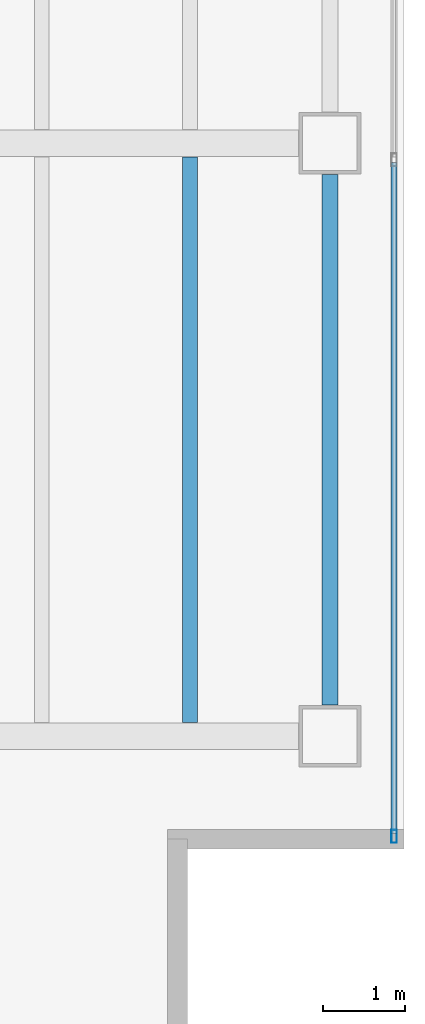
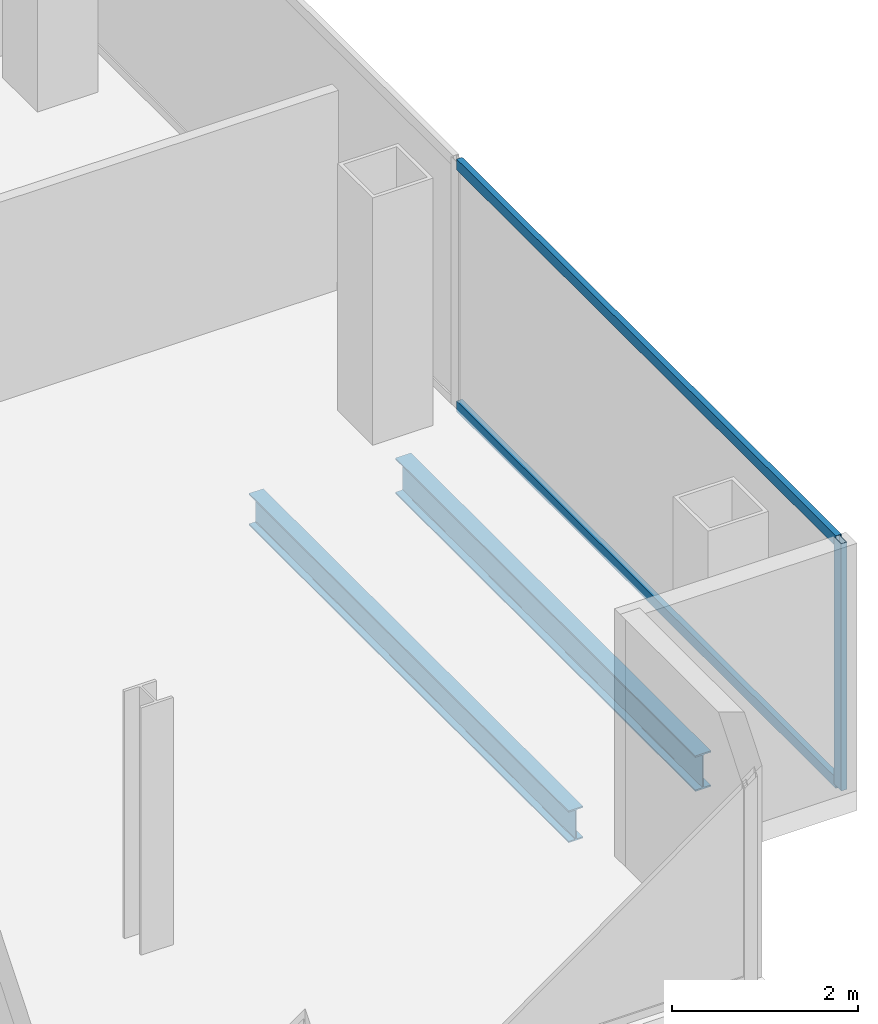
# One storey, part 12 of 23: 3 members, 2 beams, 1 element without a shape of its own.
"""IFC4 building model written with IfcOpenShell, lengths in metres."""

from ifc_helpers import new_model, si_unit, direction, frame, origin, origin_2d, place, context, subcontext, project, spatial, hollow_rectangle, i_section, extrude, material, material_profile, profile_set, type_object, element, aggregate, save


model = new_model("IFC4")

# Units and contexts
model_context = context("Model", 3, precision=1e-05, world=origin(), true_north=direction((0.0, 1.0)))
body_context = subcontext(model_context, "Body", "Model", "MODEL_VIEW")
ifc_project = project(units=[si_unit("LENGTHUNIT", "METRE"), si_unit("AREAUNIT", "SQUARE_METRE"), si_unit("VOLUMEUNIT", "CUBIC_METRE"), si_unit("PLANEANGLEUNIT", "RADIAN"), si_unit("MASSUNIT", "GRAM", prefix="KILO")], contexts=[model_context])

# Site, building, storey
site_placement = place(None, origin())
site = spatial("IfcSite", under=ifc_project, at=site_placement, CompositionType="ELEMENT")
building_placement = place(site_placement, origin())
building = spatial("IfcBuilding", under=site, at=building_placement, Name="Cobrela Telecom Tower", CompositionType="ELEMENT")
storey_placement = place(building_placement, frame((0.0, 0.0, 215.25)))
storey = spatial("IfcBuildingStorey", under=building, at=storey_placement, Name="L55", CompositionType="ELEMENT", Elevation=215.25)

# Beams
ifc_material_1 = material(Name="Steel ASTM A992 Grade 50", Category="steel")
ifc_material_profile_1 = material_profile(ifc_material_1, i_section(OverallWidth=0.179931640625, OverallDepth=0.4169921875, WebThickness=0.010986328125, FlangeThickness=0.01806640625, FilletRadius=0.011962890625, at=origin_2d()), Name="W16X57")
ifc_profile_set_1 = profile_set([ifc_material_profile_1], Name="Steel ASTM A992 Grade 50")
beam_type_1 = type_object("IfcBeamType", Name="BM-JOIST-04", PredefinedType="JOIST", material=ifc_profile_set_1)
beam_1_placement = place(storey_placement, frame((41.39990234375, 7.367431640625, -0.468505859375), z_axis=(0.0, 1.0, 0.0), x_axis=(-1.0, 0.0, 0.0)))
element("IfcBeam", 1, at=beam_1_placement, inside=storey, type_object=beam_type_1, Name="L55 Secondary Composite Floor Beam J29", PredefinedType="JOIST", context=body_context, shape_type="SweptSolid", body=[
    extrude(i_section(OverallWidth=0.179931640625, OverallDepth=0.4169921875, WebThickness=0.010986328125, FlangeThickness=0.01806640625, FilletRadius=0.011962890625, at=origin_2d()), origin(), (0.0, 0.0, 1.0), 6.864990234375),
])
ifc_material_profile_2 = material_profile(ifc_material_1, i_section(OverallWidth=0.193115234375, OverallDepth=0.467041015625, WebThickness=0.011474609375, FlangeThickness=0.01904296875, FilletRadius=0.012939453125, at=origin_2d()), Name="W18X65")
ifc_profile_set_2 = profile_set([ifc_material_profile_2], Name="Steel ASTM A992 Grade 50")
beam_type_2 = type_object("IfcBeamType", Name="BM-SPAND-05", PredefinedType="SPANDREL", material=ifc_profile_set_2)
beam_2_placement = place(storey_placement, frame((43.10009765625, 7.580078125, -0.493408203125), z_axis=(0.0, 1.0, 0.0), x_axis=(-1.0, 0.0, 0.0)))
element("IfcBeam", 2, at=beam_2_placement, inside=storey, type_object=beam_type_2, Name="L55 Perimeter Spandrel Y42", PredefinedType="SPANDREL", context=body_context, shape_type="SweptSolid", body=[
    extrude(i_section(OverallWidth=0.193115234375, OverallDepth=0.467041015625, WebThickness=0.011474609375, FlangeThickness=0.01904296875, FilletRadius=0.012939453125, at=origin_2d()), origin(), (0.0, 0.0, 1.0), 6.43994140625),
])

# Curtain wall, members
ifc_material_2 = material(Name="Anodized Bronze Aluminium 6063-T6", Category="aluminium")
curtain_wall_type = type_object("IfcCurtainWallType", Name="CW-SYS-OFF-LO", PredefinedType="USERDEFINED", material=ifc_material_2)
curtain_wall_placement = place(storey_placement, origin())
curtain_wall = element("IfcCurtainWall", 3, at=curtain_wall_placement, inside=storey, type_object=curtain_wall_type, Name="L55 Unitised Bronze Curtain Wall 14", ObjectType="UNITISED CURTAIN WALL", PredefinedType="USERDEFINED")
ifc_material_profile_3 = material_profile(ifc_material_2, hollow_rectangle(XDim=0.070068359375, YDim=0.159912109375, WallThickness=0.00390625, at=origin_2d()), Name="ALU 70x160x4")
ifc_profile_set_3 = profile_set([ifc_material_profile_3], Name="Anodized Bronze Aluminium 6063-T6")
member_type_1 = type_object("IfcMemberType", Name="CW-SYS-OFF-LO-MUL", PredefinedType="MULLION", material=ifc_profile_set_3)
member_1_placement = place(storey_placement, frame((43.8798828125, 5.985107421875, 0.0), z_axis=(0.0, 0.0, 1.0), x_axis=(1.0, 0.0, 0.0)))
member_1 = element("IfcMember", 4, at=member_1_placement, type_object=member_type_1, Name="CW-OFF-LO mullion 3", PredefinedType="MULLION", context=body_context, shape_type="SweptSolid", body=[
    extrude(hollow_rectangle(XDim=0.070068359375, YDim=0.159912109375, WallThickness=0.00390625, at=origin_2d()), origin(), (0.0, 0.0, 1.0), 3.239990234375),
])
ifc_material_profile_4 = material_profile(ifc_material_2, hollow_rectangle(XDim=0.070068359375, YDim=0.139892578125, WallThickness=0.00390625, at=origin_2d()), Name="ALU 70x140x4")
ifc_profile_set_4 = profile_set([ifc_material_profile_4], Name="Anodized Bronze Aluminium 6063-T6")
member_type_2 = type_object("IfcMemberType", Name="CW-SYS-OFF-LO-TRN", PredefinedType="USERDEFINED", material=ifc_profile_set_4)
member_2_placement = place(storey_placement, frame((43.8798828125, 14.1650390625, 0.034912109375), z_axis=(0.0, -1.0, 0.0), x_axis=(1.0, 0.0, 0.0)))
member_2 = element("IfcMember", 5, at=member_2_placement, type_object=member_type_2, Name="CW-OFF-LO transom 2.1", ObjectType="TRANSOM", PredefinedType="USERDEFINED", context=body_context, shape_type="SweptSolid", body=[
    extrude(hollow_rectangle(XDim=0.070068359375, YDim=0.139892578125, WallThickness=0.00390625, at=origin_2d()), origin(), (0.0, 0.0, 1.0), 8.14501953125),
])
member_3_placement = place(storey_placement, frame((43.8798828125, 14.1650390625, 3.205078125), z_axis=(0.0, -1.0, 0.0), x_axis=(1.0, 0.0, 0.0)))
member_3 = element("IfcMember", 6, at=member_3_placement, type_object=member_type_2, Name="CW-OFF-LO transom 2.2", ObjectType="TRANSOM", PredefinedType="USERDEFINED", context=body_context, shape_type="SweptSolid", body=[
    extrude(hollow_rectangle(XDim=0.070068359375, YDim=0.139892578125, WallThickness=0.00390625, at=origin_2d()), origin(), (0.0, 0.0, 1.0), 8.14501953125),
])
aggregate(curtain_wall, [member_1, member_2, member_3])

save(model, "model.ifc")
